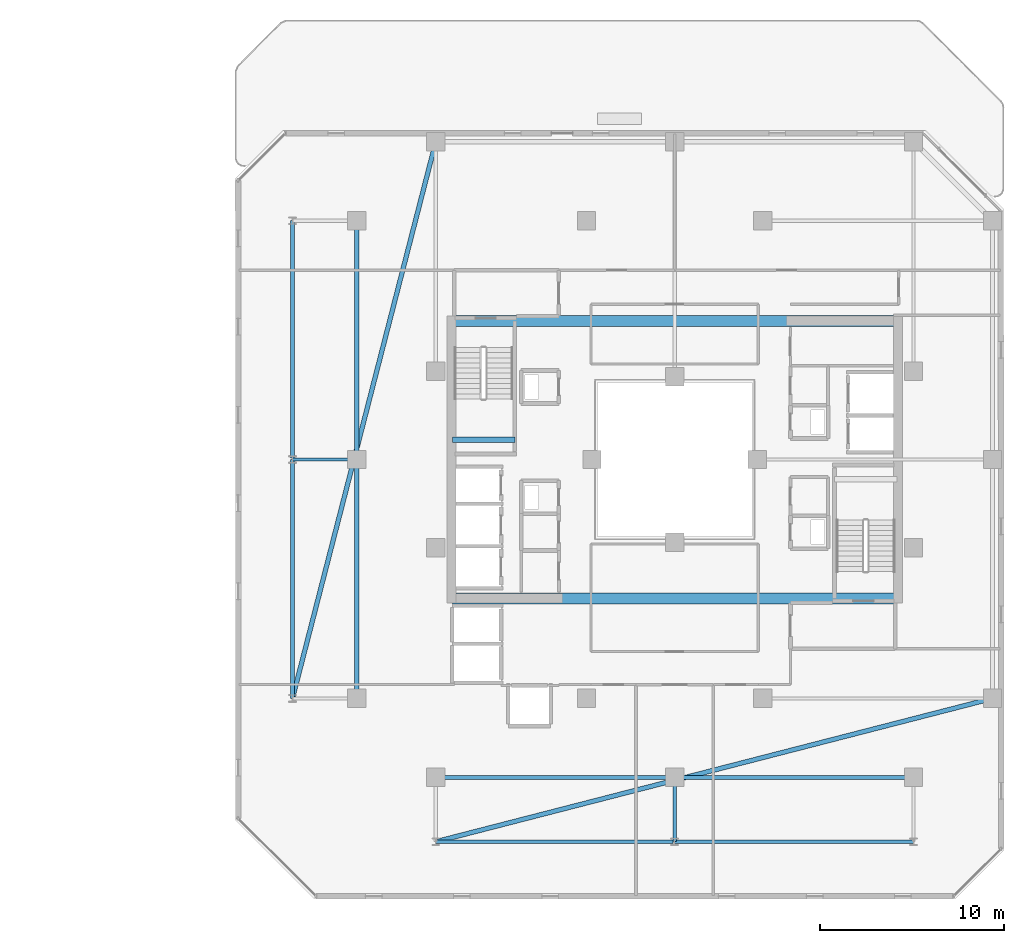
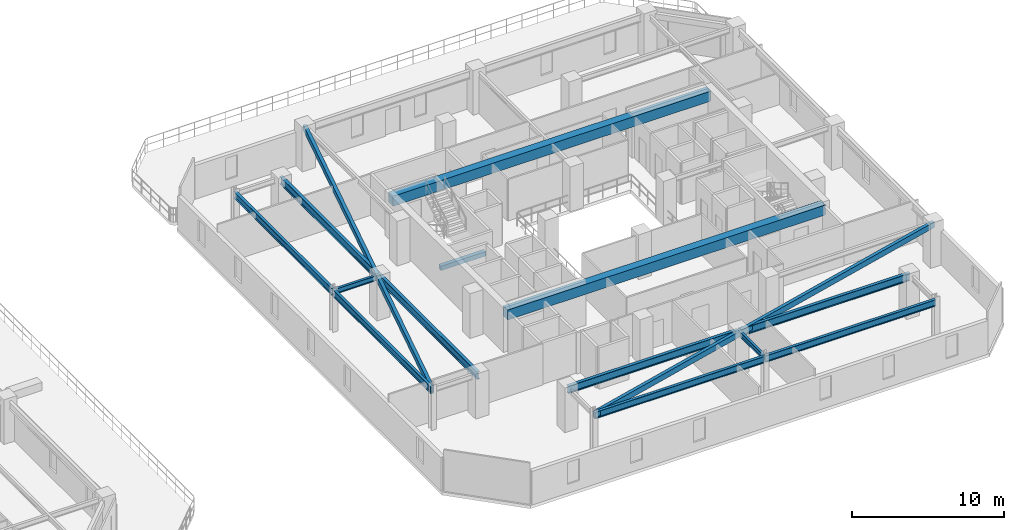
# One storey, part 13 of 32: 15 beams.
"""IFC4 building model written with IfcOpenShell, lengths in metres."""

import ifcopenshell
import ifcopenshell.guid

model = None  # the IFC model being written
_history = None  # IfcOwnerHistory: only IFC2X3 demands one
_inside = {}  # id of a spatial element -> (the spatial element, [elements in it])
_under = {}  # id of a project, library or spatial element -> (it, [spatial elements below it])
_declared = {}  # id of a project -> (the project, [libraries it declares])
_typed = {}  # id of a type object -> (the type object, [elements of that type])
_made_of = {}  # id of a material, layer set ... -> (it, [elements and type objects made of it])


def new_model(schema):
    """Start an empty IFC model of exactly this schema.

    Asked for "IFC4X3", IfcOpenShell would pick the latest addendum, in which some entities
    have other attributes; the version numbers below select the first issue.
    IFC2X3 requires an IfcOwnerHistory on every rooted entity: one is made here for all.
    """
    global model, _history
    if schema == "IFC4X3":
        model = ifcopenshell.file(schema_version=(4, 3, 0, 0))
    else:
        model = ifcopenshell.file(schema=schema)
    _inside.clear()
    _under.clear()
    _declared.clear()
    _typed.clear()
    _made_of.clear()
    _history = None
    if model.schema == "IFC2X3":
        org = make("IfcOrganization", Name="unknown")
        user = make(
            "IfcPersonAndOrganization",
            ThePerson=make("IfcPerson", FamilyName="unknown"),
            TheOrganization=org,
        )
        app = make(
            "IfcApplication",
            ApplicationDeveloper=org,
            Version="unknown",
            ApplicationFullName="unknown",
            ApplicationIdentifier="unknown",
        )
        _history = make(
            "IfcOwnerHistory",
            OwningUser=user,
            OwningApplication=app,
            ChangeAction="ADDED",
            CreationDate=0,
        )
    return model


def make(cls, **values):
    """One entity of the class cls with the attributes given. An attribute that is None is left unset."""
    return model.create_entity(
        cls, **{name: value for name, value in values.items() if value is not None}
    )


def rooted(cls, **values):
    """An entity with a GlobalId (a new one), such as an element, a storey or a relation."""
    return make(cls, GlobalId=ifcopenshell.guid.new(), OwnerHistory=_history, **values)


def si_unit(unit_type, name, prefix=None):
    """IfcSIUnit, for example si_unit("LENGTHUNIT", "METRE", prefix="MILLI")."""
    return make("IfcSIUnit", UnitType=unit_type, Prefix=prefix, Name=name)


def assignment(units):
    """IfcUnitAssignment: the units of a project."""
    return None if units is None else make("IfcUnitAssignment", Units=units)


def point(xyz):
    """IfcCartesianPoint."""
    return None if xyz is None else make("IfcCartesianPoint", Coordinates=xyz)


def direction(xyz):
    """IfcDirection."""
    return None if xyz is None else make("IfcDirection", DirectionRatios=xyz)


def frame(location, z_axis=None, x_axis=None):
    """IfcAxis2Placement3D, a coordinate frame: its origin and axes. An axis left out is left unset."""
    return make(
        "IfcAxis2Placement3D",
        Location=point(location),
        Axis=direction(z_axis),
        RefDirection=direction(x_axis),
    )


def frame_2d(location, x_axis=None):
    """IfcAxis2Placement2D, a coordinate frame in the plane: its origin and x axis."""
    return make(
        "IfcAxis2Placement2D", Location=point(location), RefDirection=direction(x_axis)
    )


def origin():
    """The frame at (0, 0, 0) with its axes left unset."""
    return frame((0.0, 0.0, 0.0))


def origin_2d():
    """The frame at (0, 0) in the plane with its x axis left unset."""
    return frame_2d((0.0, 0.0))


def place(relative_to, where):
    """IfcLocalPlacement: puts the frame where relative to a parent placement (None: the world)."""
    return make(
        "IfcLocalPlacement", PlacementRelTo=relative_to, RelativePlacement=where
    )


def context(
    kind, dimensions, precision=None, world=None, true_north=None, identifier=None
):
    """IfcGeometricRepresentationContext, for example the 3D "Model" context."""
    return make(
        "IfcGeometricRepresentationContext",
        ContextIdentifier=identifier,
        ContextType=kind,
        CoordinateSpaceDimension=dimensions,
        Precision=precision,
        WorldCoordinateSystem=world,
        TrueNorth=true_north,
    )


def subcontext(parent, identifier, kind, view, scale=None):
    """IfcGeometricRepresentationSubContext, for example "Body" below "Model"."""
    return make(
        "IfcGeometricRepresentationSubContext",
        ContextIdentifier=identifier,
        ContextType=kind,
        ParentContext=parent,
        TargetScale=scale,
        TargetView=view,
    )


def project(units=None, contexts=None):
    """IfcProject with its units and contexts."""
    return rooted(
        "IfcProject",
        Name="project",
        RepresentationContexts=contexts,
        UnitsInContext=assignment(units),
    )


def spatial(cls, under=None, at=None, **own):
    """A site, building, storey or space (cls), placed at a placement, below another one or the project."""
    s = rooted(cls, ObjectPlacement=at, **own)
    if under is not None:
        _under.setdefault(under.id(), (under, []))[1].append(s)
    return s


def profile(cls, at=None, kind="AREA", **sizes):
    """A parametric profile (cls). Its sizes go by their IFC names, for example OverallWidth=200.0."""
    return make(cls, ProfileType=kind, Position=at, **sizes)


def rectangle(**sizes):
    """IfcRectangleProfileDef."""
    return profile("IfcRectangleProfileDef", **sizes)


def hollow_rectangle(**sizes):
    """IfcRectangleHollowProfileDef."""
    return profile("IfcRectangleHollowProfileDef", **sizes)


def i_section(**sizes):
    """IfcIShapeProfileDef."""
    return profile("IfcIShapeProfileDef", **sizes)


def extrude(swept, where, along, depth):
    """IfcExtrudedAreaSolid: the profile swept, set in the frame where, extruded along a direction by depth."""
    return make(
        "IfcExtrudedAreaSolid",
        SweptArea=swept,
        Position=where,
        ExtrudedDirection=direction(along),
        Depth=depth,
    )


def shape(context_of_items, identifier, shape_type, items):
    """IfcShapeRepresentation: the items that make up one representation, for example the "Body"."""
    return make(
        "IfcShapeRepresentation",
        ContextOfItems=context_of_items,
        RepresentationIdentifier=identifier,
        RepresentationType=shape_type,
        Items=items,
    )


def material(Name=None, Category=None):
    """IfcMaterial."""
    return make("IfcMaterial", Name=Name, Category=Category)


def material_profile(
    of_material, cross_section, Name=None, Category=None, Priority=None
):
    """IfcMaterialProfile: a cross section and its material."""
    return make(
        "IfcMaterialProfile",
        Name=Name,
        Material=of_material,
        Profile=cross_section,
        Priority=Priority,
        Category=Category,
    )


def profile_set(profiles, Name=None, composite=None):
    """IfcMaterialProfileSet."""
    return make(
        "IfcMaterialProfileSet",
        Name=Name,
        MaterialProfiles=profiles,
        CompositeProfile=composite,
    )


def made_of(thing, what):
    """Note that an element or type object is made of a material, layer set ...; save() writes the relation."""
    if what is not None:
        _made_of.setdefault(what.id(), (what, []))[1].append(thing)
    return thing


def type_object(cls, material=None, **own):
    """A type object (cls), such as IfcWallType, which elements share."""
    return made_of(rooted(cls, **own), material)


def element(
    cls,
    number,
    at=None,
    inside=None,
    cuts=None,
    type_object=None,
    material=None,
    context=None,
    identifier="Body",
    shape_type=None,
    held_by="IfcProductDefinitionShape",
    body=None,
    shapes=None,
    **own,
):
    """One element of the class cls, such as IfcWall. Its Tag is "e" and its number.

    at: its placement. inside: the storey or other place that contains it. cuts: it is an
    opening in that element (IfcRelVoidsElement). A single representation is given by context,
    identifier, shape_type and body (its items); several are given by shapes. held_by: the class
    of the entity that holds the representations. save() writes the other relations.
    """
    e = rooted(cls, Tag="e%d" % number, ObjectPlacement=at, **own)
    if body is not None:
        shapes = [shape(context, identifier, shape_type, body)]
    if shapes is not None:
        e.Representation = make(held_by, Representations=shapes)
    if inside is not None:
        _inside.setdefault(inside.id(), (inside, []))[1].append(e)
    if cuts is not None:
        rooted(
            "IfcRelVoidsElement", RelatingBuildingElement=cuts, RelatedOpeningElement=e
        )
    if type_object is not None:
        _typed.setdefault(type_object.id(), (type_object, []))[1].append(e)
    return made_of(e, material)


def aggregate(whole, parts):
    """IfcRelAggregates: a whole, such as a stair, and the parts it consists of."""
    return rooted("IfcRelAggregates", RelatingObject=whole, RelatedObjects=parts)


def save(model, path):
    """Write the relations noted so far, then the file.

    IfcRelAggregates (storeys below a building ...), IfcRelContainedInSpatialStructure (elements
    in a storey), IfcRelDefinesByType, IfcRelAssociatesMaterial and IfcRelDeclares: one each for
    every whole, place, type object, material and project.
    """
    for whole, parts in _under.values():
        aggregate(whole, parts)
    for where, things in _inside.values():
        rooted(
            "IfcRelContainedInSpatialStructure",
            RelatedElements=things,
            RelatingStructure=where,
        )
    for kind, things in _typed.values():
        rooted("IfcRelDefinesByType", RelatedObjects=things, RelatingType=kind)
    for what, things in _made_of.values():
        rooted("IfcRelAssociatesMaterial", RelatedObjects=things, RelatingMaterial=what)
    for by, libraries in _declared.values():
        rooted("IfcRelDeclares", RelatingContext=by, RelatedDefinitions=libraries)
    model.write(path)


model = new_model("IFC4")

# Units and contexts
model_context = context("Model", 3, precision=1e-05, world=origin(), true_north=direction((0.0, 1.0)))
body_context = subcontext(model_context, "Body", "Model", "MODEL_VIEW")
ifc_project = project(units=[si_unit("LENGTHUNIT", "METRE"), si_unit("AREAUNIT", "SQUARE_METRE"), si_unit("VOLUMEUNIT", "CUBIC_METRE"), si_unit("PLANEANGLEUNIT", "RADIAN"), si_unit("MASSUNIT", "GRAM", prefix="KILO")], contexts=[model_context])

# Site, building, storey
site_placement = place(None, origin())
site = spatial("IfcSite", under=ifc_project, at=site_placement, CompositionType="ELEMENT")
building_placement = place(site_placement, origin())
building = spatial("IfcBuilding", under=site, at=building_placement, Name="Thornwick Lancets Civic Towers", CompositionType="ELEMENT")
storey_placement = place(building_placement, frame((0.0, 0.0, 200.10009765625)))
storey = spatial("IfcBuildingStorey", under=building, at=storey_placement, Name="L53", CompositionType="ELEMENT", Elevation=200.10009765625)

# Beams
ifc_material_1 = material(Name="Concrete C60/75", Category="concrete")
ifc_material_profile_1 = material_profile(ifc_material_1, rectangle(XDim=0.60009765625, YDim=0.800048828125, at=origin_2d()), Name="RC 600x800")
ifc_profile_set_1 = profile_set([ifc_material_profile_1], Name="Concrete C60/75")
beam_type_1 = type_object("IfcBeamType", Name="BM_COUP_RC800", PredefinedType="BEAM", material=ifc_profile_set_1)
for number, where, z_axis, x_axis, name in (
    (1, (76.39990234375, 34.550048828125, 2.93994140625), (1.0, 0.0, 0.0), (0.0, 1.0, 0.0), "CB-L53-B1"),
    (2, (76.39990234375, 19.449951171875, 2.93994140625), (1.0, 0.0, 0.0), (0.0, 1.0, 0.0), "CB-L53-B2"),
):
    element("IfcBeam", number, at=place(storey_placement, frame(where, z_axis=z_axis, x_axis=x_axis)), inside=storey, type_object=beam_type_1, Name=name, PredefinedType="BEAM", context=body_context, shape_type="SweptSolid", body=[
        extrude(rectangle(XDim=0.60009765625, YDim=0.800048828125, at=origin_2d()), origin(), (0.0, 0.0, 1.0), 24.2001953125),
    ])
ifc_material_2 = material(Name="Steel S355JR", Category="steel")
ifc_material_profile_2 = material_profile(ifc_material_2, i_section(OverallWidth=0.210693359375, OverallDepth=0.53955078125, WebThickness=0.01171875, FlangeThickness=0.018798828125, FilletRadius=0.0126953125, at=origin_2d()), Name="UKB 533x210x109")
ifc_profile_set_2 = profile_set([ifc_material_profile_2], Name="Steel S355JR")
beam_type_2 = type_object("IfcBeamType", Name="BM_EDGE_533_109", PredefinedType="SPANDREL", material=ifc_profile_set_2)
beam_1_placement = place(storey_placement, frame((67.699951171875, 14.0, 3.0703125), z_axis=(0.0, 1.0, 0.0), x_axis=(-1.0, 0.0, 0.0)))
element("IfcBeam", 3, at=beam_1_placement, inside=storey, type_object=beam_type_2, Name="BM-EDGE-L53-B-S2-1", PredefinedType="SPANDREL", context=body_context, shape_type="SweptSolid", body=[
    extrude(i_section(OverallWidth=0.210693359375, OverallDepth=0.53955078125, WebThickness=0.01171875, FlangeThickness=0.018798828125, FilletRadius=0.0126953125, at=origin_2d()), origin(), (0.0, 0.0, 1.0), 13.0),
])
beam_2_placement = place(storey_placement, frame((67.699951171875, 27.080078125, 3.0703125), z_axis=(0.0, 1.0, 0.0), x_axis=(-1.0, 0.0, 0.0)))
element("IfcBeam", 4, at=beam_2_placement, inside=storey, type_object=beam_type_2, Name="BM-EDGE-L53-B-S2-2", PredefinedType="SPANDREL", context=body_context, shape_type="SweptSolid", body=[
    extrude(i_section(OverallWidth=0.210693359375, OverallDepth=0.53955078125, WebThickness=0.01171875, FlangeThickness=0.018798828125, FilletRadius=0.0126953125, at=origin_2d()), origin(), (0.0, 0.0, 1.0), 12.919921875),
])
beam_3_placement = place(storey_placement, frame((101.5, 6.199951171875, 3.0703125), z_axis=(-1.0, 0.0, 0.0), x_axis=(0.0, -1.0, 0.0)))
element("IfcBeam", 5, at=beam_3_placement, inside=storey, type_object=beam_type_2, Name="BM-EDGE-L53-B-S3-1", PredefinedType="SPANDREL", context=body_context, shape_type="SweptSolid", body=[
    extrude(i_section(OverallWidth=0.210693359375, OverallDepth=0.53955078125, WebThickness=0.01171875, FlangeThickness=0.018798828125, FilletRadius=0.0126953125, at=origin_2d()), origin(), (0.0, 0.0, 1.0), 13.0),
])
beam_4_placement = place(storey_placement, frame((88.419921875, 6.199951171875, 3.0703125), z_axis=(-1.0, 0.0, 0.0), x_axis=(0.0, -1.0, 0.0)))
element("IfcBeam", 6, at=beam_4_placement, inside=storey, type_object=beam_type_2, Name="BM-EDGE-L53-B-S3-2", PredefinedType="SPANDREL", context=body_context, shape_type="SweptSolid", body=[
    extrude(i_section(OverallWidth=0.210693359375, OverallDepth=0.53955078125, WebThickness=0.01171875, FlangeThickness=0.018798828125, FilletRadius=0.0126953125, at=origin_2d()), origin(), (0.0, 0.0, 1.0), 12.919921875),
])
ifc_material_profile_3 = material_profile(ifc_material_2, i_section(OverallWidth=0.230224609375, OverallDepth=0.6171875, WebThickness=0.01318359375, FlangeThickness=0.022216796875, FilletRadius=0.0126953125, at=origin_2d()), Name="UKB 610x229x140")
ifc_profile_set_3 = profile_set([ifc_material_profile_3], Name="Steel S355JR")
beam_type_3 = type_object("IfcBeamType", Name="BM_GIRD_610_140", PredefinedType="BEAM", material=ifc_profile_set_3)
beam_5_placement = place(storey_placement, frame((71.199951171875, 14.0, 3.03125), z_axis=(0.0, 1.0, 0.0), x_axis=(-1.0, 0.0, 0.0)))
element("IfcBeam", 7, at=beam_5_placement, inside=storey, type_object=beam_type_3, Name="BM-SPINE-L53-B-6-7", PredefinedType="BEAM", context=body_context, shape_type="SweptSolid", body=[
    extrude(i_section(OverallWidth=0.230224609375, OverallDepth=0.6171875, WebThickness=0.01318359375, FlangeThickness=0.022216796875, FilletRadius=0.0126953125, at=origin_2d()), origin(), (0.0, 0.0, 1.0), 13.0),
])
beam_6_placement = place(storey_placement, frame((71.199951171875, 27.080078125, 3.03125), z_axis=(0.0, 1.0, 0.0), x_axis=(-1.0, 0.0, 0.0)))
element("IfcBeam", 8, at=beam_6_placement, inside=storey, type_object=beam_type_3, Name="BM-SPINE-L53-B-7-8", PredefinedType="BEAM", context=body_context, shape_type="SweptSolid", body=[
    extrude(i_section(OverallWidth=0.230224609375, OverallDepth=0.6171875, WebThickness=0.01318359375, FlangeThickness=0.022216796875, FilletRadius=0.0126953125, at=origin_2d()), origin(), (0.0, 0.0, 1.0), 12.919921875),
])
beam_7_placement = place(storey_placement, frame((101.5, 9.699951171875, 3.03125), z_axis=(-1.0, 0.0, 0.0), x_axis=(0.0, -1.0, 0.0)))
element("IfcBeam", 9, at=beam_7_placement, inside=storey, type_object=beam_type_3, Name="BM-SPINE-L53-B-9-10", PredefinedType="BEAM", context=body_context, shape_type="SweptSolid", body=[
    extrude(i_section(OverallWidth=0.230224609375, OverallDepth=0.6171875, WebThickness=0.01318359375, FlangeThickness=0.022216796875, FilletRadius=0.0126953125, at=origin_2d()), origin(), (0.0, 0.0, 1.0), 13.0),
])
beam_8_placement = place(storey_placement, frame((88.419921875, 9.699951171875, 3.03125), z_axis=(-1.0, 0.0, 0.0), x_axis=(0.0, -1.0, 0.0)))
element("IfcBeam", 10, at=beam_8_placement, inside=storey, type_object=beam_type_3, Name="BM-SPINE-L53-B-10-11", PredefinedType="BEAM", context=body_context, shape_type="SweptSolid", body=[
    extrude(i_section(OverallWidth=0.230224609375, OverallDepth=0.6171875, WebThickness=0.01318359375, FlangeThickness=0.022216796875, FilletRadius=0.0126953125, at=origin_2d()), origin(), (0.0, 0.0, 1.0), 12.919921875),
])
ifc_material_profile_4 = material_profile(ifc_material_2, i_section(OverallWidth=0.179443359375, OverallDepth=0.412841796875, WebThickness=0.009521484375, FlangeThickness=0.01611328125, FilletRadius=0.01025390625, at=origin_2d()), Name="UKB 406x178x74")
ifc_profile_set_4 = profile_set([ifc_material_profile_4], Name="Steel S355JR")
beam_type_4 = type_object("IfcBeamType", Name="BM_JOIST_406_74", PredefinedType="JOIST", material=ifc_profile_set_4)
for number, where, z_axis, x_axis, name in (
    (11, (71.199951171875, 27.0, 3.133544921875), (-1.0, 0.0, 0.0), (0.0, -1.0, 0.0), "BM-RAD-L53-B08"),
    (12, (88.5, 9.699951171875, 3.133544921875), (0.0, -1.0, 0.0), (1.0, 0.0, 0.0), "BM-RAD-L53-B11"),
):
    element("IfcBeam", number, at=place(storey_placement, frame(where, z_axis=z_axis, x_axis=x_axis)), inside=storey, type_object=beam_type_4, Name=name, PredefinedType="JOIST", context=body_context, shape_type="SweptSolid", body=[
        extrude(i_section(OverallWidth=0.179443359375, OverallDepth=0.412841796875, WebThickness=0.009521484375, FlangeThickness=0.01611328125, FilletRadius=0.01025390625, at=origin_2d()), origin(), (0.0, 0.0, 1.0), 3.5),
    ])
ifc_material_profile_5 = material_profile(ifc_material_2, hollow_rectangle(XDim=0.25, YDim=0.449951171875, WallThickness=0.01611328125, at=origin_2d()), Name="RHS 450x250x16")
ifc_profile_set_5 = profile_set([ifc_material_profile_5], Name="Steel S355JR")
beam_type_5 = type_object("IfcBeamType", Name="BM_RING_RHS450", PredefinedType="BEAM", material=ifc_profile_set_5)
for number, where, z_axis, x_axis, name in (
    (13, (75.5, 44.300048828125, 3.114990234375), (-0.249299080716, -0.96842654257, 0.0), (0.96842654257, -0.249299080716, 0.0), "BM-CHAMF-L53-B-C1"),
    (14, (75.5, 6.199951171875, 3.114990234375), (0.96842654257, 0.249299080716, 0.0), (-0.249299080716, 0.96842654257, 0.0), "BM-CHAMF-L53-B-C3"),
):
    element("IfcBeam", number, at=place(storey_placement, frame(where, z_axis=z_axis, x_axis=x_axis)), inside=storey, type_object=beam_type_5, Name=name, PredefinedType="BEAM", context=body_context, shape_type="SweptSolid", body=[
        extrude(hollow_rectangle(XDim=0.25, YDim=0.449951171875, WallThickness=0.01611328125, at=origin_2d()), origin(), (0.0, 0.0, 1.0), 31.287841796875),
    ])
ifc_material_3 = material(Name="Concrete C40/50", Category="concrete")
ifc_material_profile_6 = material_profile(ifc_material_3, rectangle(XDim=0.300048828125, YDim=0.35009765625, at=origin_2d()), Name="RC 300x350")
ifc_profile_set_6 = profile_set([ifc_material_profile_6], Name="Concrete C40/50")
beam_type_6 = type_object("IfcBeamType", Name="BM_STAIR_LDG", PredefinedType="BEAM", material=ifc_profile_set_6)
beam_9_placement = place(storey_placement, frame((76.39990234375, 28.06494140625, 1.3779296875), z_axis=(1.0, 0.0, 0.0), x_axis=(0.0, 1.0, 0.0)))
element("IfcBeam", 15, at=beam_9_placement, inside=storey, type_object=beam_type_6, Name="L53 ST-B2 Landing Support Beam 1", PredefinedType="BEAM", context=body_context, shape_type="SweptSolid", body=[
    extrude(rectangle(XDim=0.300048828125, YDim=0.35009765625, at=origin_2d()), origin(), (0.0, 0.0, 1.0), 3.400146484375),
])

save(model, "model.ifc")
